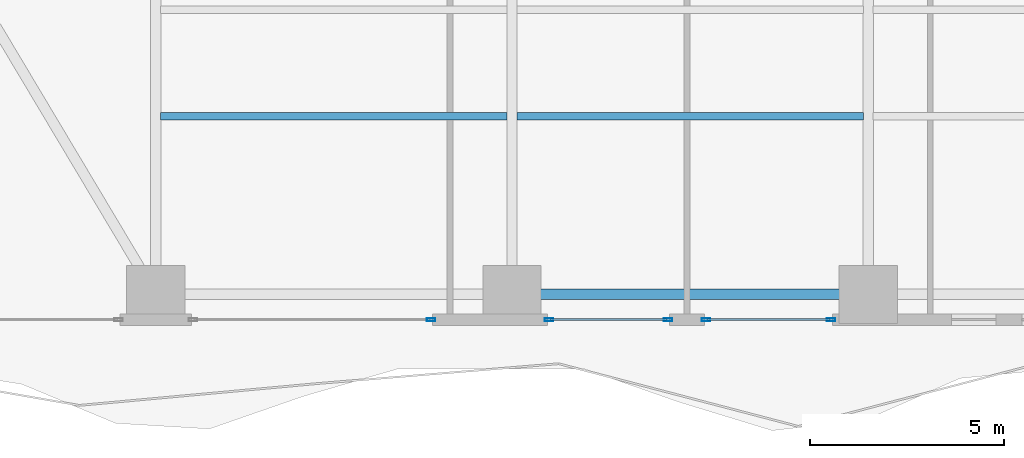
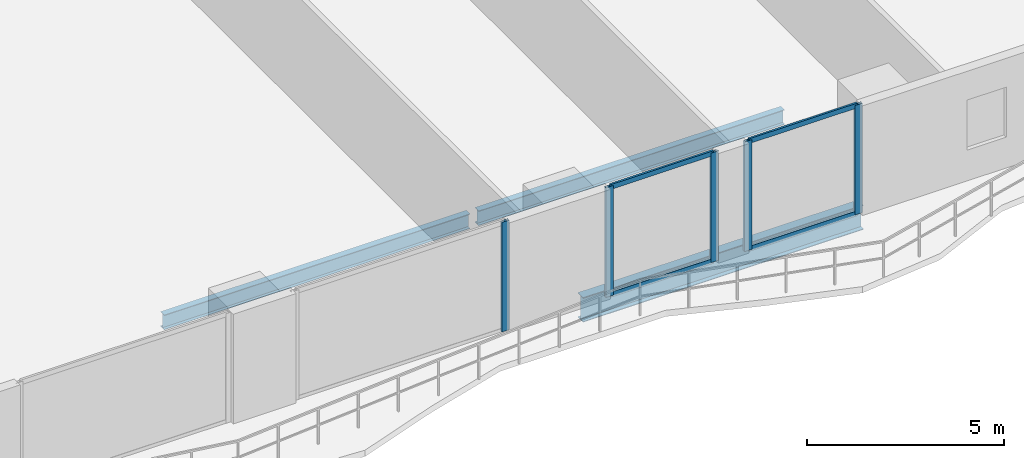
# One storey, part 4 of 30: 9 members, 3 beams, 3 elements without a shape of their own.
"""IFC4 building model written with IfcOpenShell, lengths in metres."""

import ifcopenshell
import ifcopenshell.guid

model = None  # the IFC model being written
_history = None  # IfcOwnerHistory: only IFC2X3 demands one
_inside = {}  # id of a spatial element -> (the spatial element, [elements in it])
_under = {}  # id of a project, library or spatial element -> (it, [spatial elements below it])
_declared = {}  # id of a project -> (the project, [libraries it declares])
_typed = {}  # id of a type object -> (the type object, [elements of that type])
_made_of = {}  # id of a material, layer set ... -> (it, [elements and type objects made of it])


def new_model(schema):
    """Start an empty IFC model of exactly this schema.

    Asked for "IFC4X3", IfcOpenShell would pick the latest addendum, in which some entities
    have other attributes; the version numbers below select the first issue.
    IFC2X3 requires an IfcOwnerHistory on every rooted entity: one is made here for all.
    """
    global model, _history
    if schema == "IFC4X3":
        model = ifcopenshell.file(schema_version=(4, 3, 0, 0))
    else:
        model = ifcopenshell.file(schema=schema)
    _inside.clear()
    _under.clear()
    _declared.clear()
    _typed.clear()
    _made_of.clear()
    _history = None
    if model.schema == "IFC2X3":
        org = make("IfcOrganization", Name="unknown")
        user = make(
            "IfcPersonAndOrganization",
            ThePerson=make("IfcPerson", FamilyName="unknown"),
            TheOrganization=org,
        )
        app = make(
            "IfcApplication",
            ApplicationDeveloper=org,
            Version="unknown",
            ApplicationFullName="unknown",
            ApplicationIdentifier="unknown",
        )
        _history = make(
            "IfcOwnerHistory",
            OwningUser=user,
            OwningApplication=app,
            ChangeAction="ADDED",
            CreationDate=0,
        )
    return model


def make(cls, **values):
    """One entity of the class cls with the attributes given. An attribute that is None is left unset."""
    return model.create_entity(
        cls, **{name: value for name, value in values.items() if value is not None}
    )


def rooted(cls, **values):
    """An entity with a GlobalId (a new one), such as an element, a storey or a relation."""
    return make(cls, GlobalId=ifcopenshell.guid.new(), OwnerHistory=_history, **values)


def si_unit(unit_type, name, prefix=None):
    """IfcSIUnit, for example si_unit("LENGTHUNIT", "METRE", prefix="MILLI")."""
    return make("IfcSIUnit", UnitType=unit_type, Prefix=prefix, Name=name)


def assignment(units):
    """IfcUnitAssignment: the units of a project."""
    return None if units is None else make("IfcUnitAssignment", Units=units)


def point(xyz):
    """IfcCartesianPoint."""
    return None if xyz is None else make("IfcCartesianPoint", Coordinates=xyz)


def direction(xyz):
    """IfcDirection."""
    return None if xyz is None else make("IfcDirection", DirectionRatios=xyz)


def frame(location, z_axis=None, x_axis=None):
    """IfcAxis2Placement3D, a coordinate frame: its origin and axes. An axis left out is left unset."""
    return make(
        "IfcAxis2Placement3D",
        Location=point(location),
        Axis=direction(z_axis),
        RefDirection=direction(x_axis),
    )


def frame_2d(location, x_axis=None):
    """IfcAxis2Placement2D, a coordinate frame in the plane: its origin and x axis."""
    return make(
        "IfcAxis2Placement2D", Location=point(location), RefDirection=direction(x_axis)
    )


def origin():
    """The frame at (0, 0, 0) with its axes left unset."""
    return frame((0.0, 0.0, 0.0))


def origin_2d():
    """The frame at (0, 0) in the plane with its x axis left unset."""
    return frame_2d((0.0, 0.0))


def place(relative_to, where):
    """IfcLocalPlacement: puts the frame where relative to a parent placement (None: the world)."""
    return make(
        "IfcLocalPlacement", PlacementRelTo=relative_to, RelativePlacement=where
    )


def context(
    kind, dimensions, precision=None, world=None, true_north=None, identifier=None
):
    """IfcGeometricRepresentationContext, for example the 3D "Model" context."""
    return make(
        "IfcGeometricRepresentationContext",
        ContextIdentifier=identifier,
        ContextType=kind,
        CoordinateSpaceDimension=dimensions,
        Precision=precision,
        WorldCoordinateSystem=world,
        TrueNorth=true_north,
    )


def subcontext(parent, identifier, kind, view, scale=None):
    """IfcGeometricRepresentationSubContext, for example "Body" below "Model"."""
    return make(
        "IfcGeometricRepresentationSubContext",
        ContextIdentifier=identifier,
        ContextType=kind,
        ParentContext=parent,
        TargetScale=scale,
        TargetView=view,
    )


def project(units=None, contexts=None):
    """IfcProject with its units and contexts."""
    return rooted(
        "IfcProject",
        Name="project",
        RepresentationContexts=contexts,
        UnitsInContext=assignment(units),
    )


def spatial(cls, under=None, at=None, **own):
    """A site, building, storey or space (cls), placed at a placement, below another one or the project."""
    s = rooted(cls, ObjectPlacement=at, **own)
    if under is not None:
        _under.setdefault(under.id(), (under, []))[1].append(s)
    return s


def profile(cls, at=None, kind="AREA", **sizes):
    """A parametric profile (cls). Its sizes go by their IFC names, for example OverallWidth=200.0."""
    return make(cls, ProfileType=kind, Position=at, **sizes)


def hollow_rectangle(**sizes):
    """IfcRectangleHollowProfileDef."""
    return profile("IfcRectangleHollowProfileDef", **sizes)


def i_section(**sizes):
    """IfcIShapeProfileDef."""
    return profile("IfcIShapeProfileDef", **sizes)


def extrude(swept, where, along, depth):
    """IfcExtrudedAreaSolid: the profile swept, set in the frame where, extruded along a direction by depth."""
    return make(
        "IfcExtrudedAreaSolid",
        SweptArea=swept,
        Position=where,
        ExtrudedDirection=direction(along),
        Depth=depth,
    )


def shape(context_of_items, identifier, shape_type, items):
    """IfcShapeRepresentation: the items that make up one representation, for example the "Body"."""
    return make(
        "IfcShapeRepresentation",
        ContextOfItems=context_of_items,
        RepresentationIdentifier=identifier,
        RepresentationType=shape_type,
        Items=items,
    )


def material(Name=None, Category=None):
    """IfcMaterial."""
    return make("IfcMaterial", Name=Name, Category=Category)


def layer(
    of_material, thickness, ventilated=None, Name=None, Category=None, Priority=None
):
    """IfcMaterialLayer: one layer of a wall or slab, of a material (None: an air gap)."""
    return make(
        "IfcMaterialLayer",
        Material=of_material,
        LayerThickness=thickness,
        IsVentilated=ventilated,
        Name=Name,
        Category=Category,
        Priority=Priority,
    )


def layer_set(layers, Name=None):
    """IfcMaterialLayerSet."""
    return make("IfcMaterialLayerSet", MaterialLayers=layers, LayerSetName=Name)


def material_profile(
    of_material, cross_section, Name=None, Category=None, Priority=None
):
    """IfcMaterialProfile: a cross section and its material."""
    return make(
        "IfcMaterialProfile",
        Name=Name,
        Material=of_material,
        Profile=cross_section,
        Priority=Priority,
        Category=Category,
    )


def profile_set(profiles, Name=None, composite=None):
    """IfcMaterialProfileSet."""
    return make(
        "IfcMaterialProfileSet",
        Name=Name,
        MaterialProfiles=profiles,
        CompositeProfile=composite,
    )


def made_of(thing, what):
    """Note that an element or type object is made of a material, layer set ...; save() writes the relation."""
    if what is not None:
        _made_of.setdefault(what.id(), (what, []))[1].append(thing)
    return thing


def type_object(cls, material=None, **own):
    """A type object (cls), such as IfcWallType, which elements share."""
    return made_of(rooted(cls, **own), material)


def element(
    cls,
    number,
    at=None,
    inside=None,
    cuts=None,
    type_object=None,
    material=None,
    context=None,
    identifier="Body",
    shape_type=None,
    held_by="IfcProductDefinitionShape",
    body=None,
    shapes=None,
    **own,
):
    """One element of the class cls, such as IfcWall. Its Tag is "e" and its number.

    at: its placement. inside: the storey or other place that contains it. cuts: it is an
    opening in that element (IfcRelVoidsElement). A single representation is given by context,
    identifier, shape_type and body (its items); several are given by shapes. held_by: the class
    of the entity that holds the representations. save() writes the other relations.
    """
    e = rooted(cls, Tag="e%d" % number, ObjectPlacement=at, **own)
    if body is not None:
        shapes = [shape(context, identifier, shape_type, body)]
    if shapes is not None:
        e.Representation = make(held_by, Representations=shapes)
    if inside is not None:
        _inside.setdefault(inside.id(), (inside, []))[1].append(e)
    if cuts is not None:
        rooted(
            "IfcRelVoidsElement", RelatingBuildingElement=cuts, RelatedOpeningElement=e
        )
    if type_object is not None:
        _typed.setdefault(type_object.id(), (type_object, []))[1].append(e)
    return made_of(e, material)


def aggregate(whole, parts):
    """IfcRelAggregates: a whole, such as a stair, and the parts it consists of."""
    return rooted("IfcRelAggregates", RelatingObject=whole, RelatedObjects=parts)


def save(model, path):
    """Write the relations noted so far, then the file.

    IfcRelAggregates (storeys below a building ...), IfcRelContainedInSpatialStructure (elements
    in a storey), IfcRelDefinesByType, IfcRelAssociatesMaterial and IfcRelDeclares: one each for
    every whole, place, type object, material and project.
    """
    for whole, parts in _under.values():
        aggregate(whole, parts)
    for where, things in _inside.values():
        rooted(
            "IfcRelContainedInSpatialStructure",
            RelatedElements=things,
            RelatingStructure=where,
        )
    for kind, things in _typed.values():
        rooted("IfcRelDefinesByType", RelatedObjects=things, RelatingType=kind)
    for what, things in _made_of.values():
        rooted("IfcRelAssociatesMaterial", RelatedObjects=things, RelatingMaterial=what)
    for by, libraries in _declared.values():
        rooted("IfcRelDeclares", RelatingContext=by, RelatedDefinitions=libraries)
    model.write(path)


model = new_model("IFC4")

# Units and contexts
model_context = context("Model", 3, precision=1e-05, world=origin(), true_north=direction((0.0, 1.0)))
body_context = subcontext(model_context, "Body", "Model", "MODEL_VIEW")
ifc_project = project(units=[si_unit("LENGTHUNIT", "METRE"), si_unit("AREAUNIT", "SQUARE_METRE"), si_unit("VOLUMEUNIT", "CUBIC_METRE"), si_unit("PLANEANGLEUNIT", "RADIAN"), si_unit("MASSUNIT", "GRAM", prefix="KILO")], contexts=[model_context])

# Site, building, storey
site_placement = place(None, origin())
site = spatial("IfcSite", under=ifc_project, at=site_placement, CompositionType="ELEMENT")
building_placement = place(site_placement, origin())
building = spatial("IfcBuilding", under=site, at=building_placement, Name="Zuhayl Quay Hotel", CompositionType="ELEMENT")
storey_placement = place(building_placement, frame((0.0, 0.0, 86.0)))
storey = spatial("IfcBuildingStorey", under=building, at=storey_placement, Name="L21", CompositionType="ELEMENT", Elevation=86.0)

# Beams
ifc_material_1 = material(Name="Steel ASTM A992 Grade 50", Category="steel")
ifc_material_profile_1 = material_profile(ifc_material_1, i_section(OverallWidth=0.26708984375, OverallDepth=0.761962890625, WebThickness=0.014404296875, FlangeThickness=0.021484375, at=origin_2d()), Name="W30X116")
ifc_profile_set_1 = profile_set([ifc_material_profile_1], Name="Steel ASTM A992 Grade 50")
beam_type_1 = type_object("IfcBeamType", Name="BM_B1_W30X116", PredefinedType="BEAM", material=ifc_profile_set_1)
beam_1_placement = place(storey_placement, frame((-4.10009765625, -22.449951171875, -0.60107421875), z_axis=(1.0, 0.0, 0.0), x_axis=(0.0, 1.0, 0.0)))
element("IfcBeam", 1, at=beam_1_placement, inside=storey, type_object=beam_type_1, Name="L21 Floor Beam RG_L21_02", PredefinedType="BEAM", context=body_context, shape_type="SweptSolid", body=[
    extrude(i_section(OverallWidth=0.26708984375, OverallDepth=0.761962890625, WebThickness=0.014404296875, FlangeThickness=0.021484375, at=origin_2d()), origin(), (0.0, 0.0, 1.0), 8.2001953125),
])
ifc_material_profile_2 = material_profile(ifc_material_1, i_section(OverallWidth=0.18994140625, OverallDepth=0.45703125, WebThickness=0.009033203125, FlangeThickness=0.014404296875, at=origin_2d()), Name="W18X50")
ifc_profile_set_2 = profile_set([ifc_material_profile_2], Name="Steel ASTM A992 Grade 50")
beam_type_2 = type_object("IfcBeamType", Name="BM_J2_W18X50", PredefinedType="JOIST", material=ifc_profile_set_2)
beam_2_placement = place(storey_placement, frame((-13.674560546875, -17.85009765625, -0.448486328125), z_axis=(1.0, 0.0, 0.0), x_axis=(0.0, 1.0, 0.0)))
element("IfcBeam", 2, at=beam_2_placement, inside=storey, type_object=beam_type_2, Name="L21 Floor Beam FJ_L21_3_1", PredefinedType="JOIST", context=body_context, shape_type="SweptSolid", body=[
    extrude(i_section(OverallWidth=0.18994140625, OverallDepth=0.45703125, WebThickness=0.009033203125, FlangeThickness=0.014404296875, at=origin_2d()), origin(), (0.0, 0.0, 1.0), 8.948974609375),
])
beam_3_placement = place(storey_placement, frame((-4.474609375, -17.85009765625, -0.448486328125), z_axis=(1.0, 0.0, 0.0), x_axis=(0.0, 1.0, 0.0)))
element("IfcBeam", 3, at=beam_3_placement, inside=storey, type_object=beam_type_2, Name="L21 Floor Beam FJ_L21_3_2", PredefinedType="JOIST", context=body_context, shape_type="SweptSolid", body=[
    extrude(i_section(OverallWidth=0.18994140625, OverallDepth=0.45703125, WebThickness=0.009033203125, FlangeThickness=0.014404296875, at=origin_2d()), origin(), (0.0, 0.0, 1.0), 8.94921875),
])

# Curtain wall, members
ifc_material_2 = material(Name="Anodised Aluminium 6063-T6", Category="aluminium")
ifc_layer = layer(ifc_material_2, 0.18994140625, Name="Anodised Aluminium 6063-T6", Category="aluminium")
ifc_layer_set = layer_set([ifc_layer], Name="Anodised Aluminium 6063-T6")
curtain_wall_type = type_object("IfcCurtainWallType", Name="CW_SYS_Z1", PredefinedType="USERDEFINED", material=ifc_layer_set)
curtain_wall_1_placement = place(storey_placement, origin())
curtain_wall_1 = element("IfcCurtainWall", 4, at=curtain_wall_1_placement, inside=storey, type_object=curtain_wall_type, Name="L21 Curtain Wall ENV_L21_S_CW3", ObjectType="UNITISED CURTAIN WALL", PredefinedType="USERDEFINED")
ifc_material_3 = material(Name="Black-anodised aluminium 6063-T6", Category="aluminium")
ifc_material_profile_3 = material_profile(ifc_material_3, hollow_rectangle(XDim=0.074951171875, YDim=0.219970703125, WallThickness=0.00390625, at=origin_2d()), Name="ALU220X75")
ifc_profile_set_3 = profile_set([ifc_material_profile_3], Name="Black-anodised aluminium 6063-T6")
member_type_1 = type_object("IfcMemberType", Name="MB_CW_MUL_220", PredefinedType="MULLION", material=ifc_profile_set_3)
member_1_placement = place(storey_placement, frame((3.642578125, -23.10009765625, 0.0), z_axis=(0.0, 0.0, 1.0), x_axis=(0.0, -1.0, 0.0)))
member_1 = element("IfcMember", 5, at=member_1_placement, type_object=member_type_1, Name="CW-Z1 mullion 1", PredefinedType="MULLION", context=body_context, shape_type="SweptSolid", body=[
    extrude(hollow_rectangle(XDim=0.074951171875, YDim=0.219970703125, WallThickness=0.00390625, at=origin_2d()), origin(), (0.0, 0.0, 1.0), 3.389892578125),
])
member_2_placement = place(storey_placement, frame((0.407470703125, -23.10009765625, 0.0), z_axis=(0.0, 0.0, 1.0), x_axis=(0.0, -1.0, 0.0)))
member_2 = element("IfcMember", 6, at=member_2_placement, type_object=member_type_1, Name="CW-Z1 mullion 2", PredefinedType="MULLION", context=body_context, shape_type="SweptSolid", body=[
    extrude(hollow_rectangle(XDim=0.074951171875, YDim=0.219970703125, WallThickness=0.00390625, at=origin_2d()), origin(), (0.0, 0.0, 1.0), 3.389892578125),
])

curtain_wall_2_placement = place(storey_placement, origin())
curtain_wall_2 = element("IfcCurtainWall", 7, at=curtain_wall_2_placement, inside=storey, type_object=curtain_wall_type, Name="L21 Curtain Wall ENV_L21_S_CW4", ObjectType="UNITISED CURTAIN WALL", PredefinedType="USERDEFINED")
member_3_placement = place(storey_placement, frame((-0.5673828125, -23.10009765625, 0.0), z_axis=(0.0, 0.0, 1.0), x_axis=(0.0, -1.0, 0.0)))
member_3 = element("IfcMember", 8, at=member_3_placement, type_object=member_type_1, Name="CW-Z1 mullion 1", PredefinedType="MULLION", context=body_context, shape_type="SweptSolid", body=[
    extrude(hollow_rectangle(XDim=0.074951171875, YDim=0.219970703125, WallThickness=0.00390625, at=origin_2d()), origin(), (0.0, 0.0, 1.0), 3.389892578125),
])
member_4_placement = place(storey_placement, frame((-3.642578125, -23.10009765625, 0.0), z_axis=(0.0, 0.0, 1.0), x_axis=(0.0, -1.0, 0.0)))
member_4 = element("IfcMember", 9, at=member_4_placement, type_object=member_type_1, Name="CW-Z1 mullion 2", PredefinedType="MULLION", context=body_context, shape_type="SweptSolid", body=[
    extrude(hollow_rectangle(XDim=0.074951171875, YDim=0.219970703125, WallThickness=0.00390625, at=origin_2d()), origin(), (0.0, 0.0, 1.0), 3.389892578125),
])

# Curtain wall, member
curtain_wall_3_placement = place(storey_placement, origin())
curtain_wall_3 = element("IfcCurtainWall", 10, at=curtain_wall_3_placement, inside=storey, type_object=curtain_wall_type, Name="L21 Curtain Wall ENV_L21_S_CW5", ObjectType="UNITISED CURTAIN WALL", PredefinedType="USERDEFINED")
member_5_placement = place(storey_placement, frame((-6.6875, -23.10009765625, 0.0), z_axis=(0.0, 0.0, 1.0), x_axis=(0.0, -1.0, 0.0)))
member_5 = element("IfcMember", 11, at=member_5_placement, type_object=member_type_1, Name="CW-Z1 mullion 1", PredefinedType="MULLION", context=body_context, shape_type="SweptSolid", body=[
    extrude(hollow_rectangle(XDim=0.074951171875, YDim=0.219970703125, WallThickness=0.00390625, at=origin_2d()), origin(), (0.0, 0.0, 1.0), 3.389892578125),
])
aggregate(curtain_wall_3, [member_5])

# Member
ifc_material_profile_4 = material_profile(ifc_material_3, hollow_rectangle(XDim=0.06005859375, YDim=0.14990234375, WallThickness=0.00341796875, at=origin_2d()), Name="ALU150X60")
ifc_profile_set_4 = profile_set([ifc_material_profile_4], Name="Black-anodised aluminium 6063-T6")
member_type_2 = type_object("IfcMemberType", Name="MB_CW_TRN_150", PredefinedType="USERDEFINED", material=ifc_profile_set_4)
member_6_placement = place(storey_placement, frame((3.60498046875, -23.10009765625, 0.030029296875), z_axis=(-1.0, 0.0, 0.0), x_axis=(0.0, -1.0, 0.0)))
member_6 = element("IfcMember", 12, at=member_6_placement, type_object=member_type_2, Name="CW-Z1 transom 1.1", ObjectType="TRANSOM", PredefinedType="USERDEFINED", context=body_context, shape_type="SweptSolid", body=[
    extrude(hollow_rectangle(XDim=0.06005859375, YDim=0.14990234375, WallThickness=0.00341796875, at=origin_2d()), origin(), (0.0, 0.0, 1.0), 3.159912109375),
])

member_7_placement = place(storey_placement, frame((3.60498046875, -23.10009765625, 3.360107421875), z_axis=(-1.0, 0.0, 0.0), x_axis=(0.0, -1.0, 0.0)))
member_7 = element("IfcMember", 13, at=member_7_placement, type_object=member_type_2, Name="CW-Z1 transom 1.2", ObjectType="TRANSOM", PredefinedType="USERDEFINED", context=body_context, shape_type="SweptSolid", body=[
    extrude(hollow_rectangle(XDim=0.06005859375, YDim=0.14990234375, WallThickness=0.00341796875, at=origin_2d()), origin(), (0.0, 0.0, 1.0), 3.159912109375),
])

aggregate(curtain_wall_1, [member_1, member_2, member_6, member_7])

member_8_placement = place(storey_placement, frame((-0.60498046875, -23.10009765625, 0.030029296875), z_axis=(-1.0, 0.0, 0.0), x_axis=(0.0, -1.0, 0.0)))
member_8 = element("IfcMember", 14, at=member_8_placement, type_object=member_type_2, Name="CW-Z1 transom 1.1", ObjectType="TRANSOM", PredefinedType="USERDEFINED", context=body_context, shape_type="SweptSolid", body=[
    extrude(hollow_rectangle(XDim=0.06005859375, YDim=0.14990234375, WallThickness=0.00341796875, at=origin_2d()), origin(), (0.0, 0.0, 1.0), 3.0),
])

member_9_placement = place(storey_placement, frame((-0.60498046875, -23.10009765625, 3.360107421875), z_axis=(-1.0, 0.0, 0.0), x_axis=(0.0, -1.0, 0.0)))
member_9 = element("IfcMember", 15, at=member_9_placement, type_object=member_type_2, Name="CW-Z1 transom 1.2", ObjectType="TRANSOM", PredefinedType="USERDEFINED", context=body_context, shape_type="SweptSolid", body=[
    extrude(hollow_rectangle(XDim=0.06005859375, YDim=0.14990234375, WallThickness=0.00341796875, at=origin_2d()), origin(), (0.0, 0.0, 1.0), 3.0),
])

aggregate(curtain_wall_2, [member_3, member_4, member_8, member_9])

save(model, "model.ifc")
